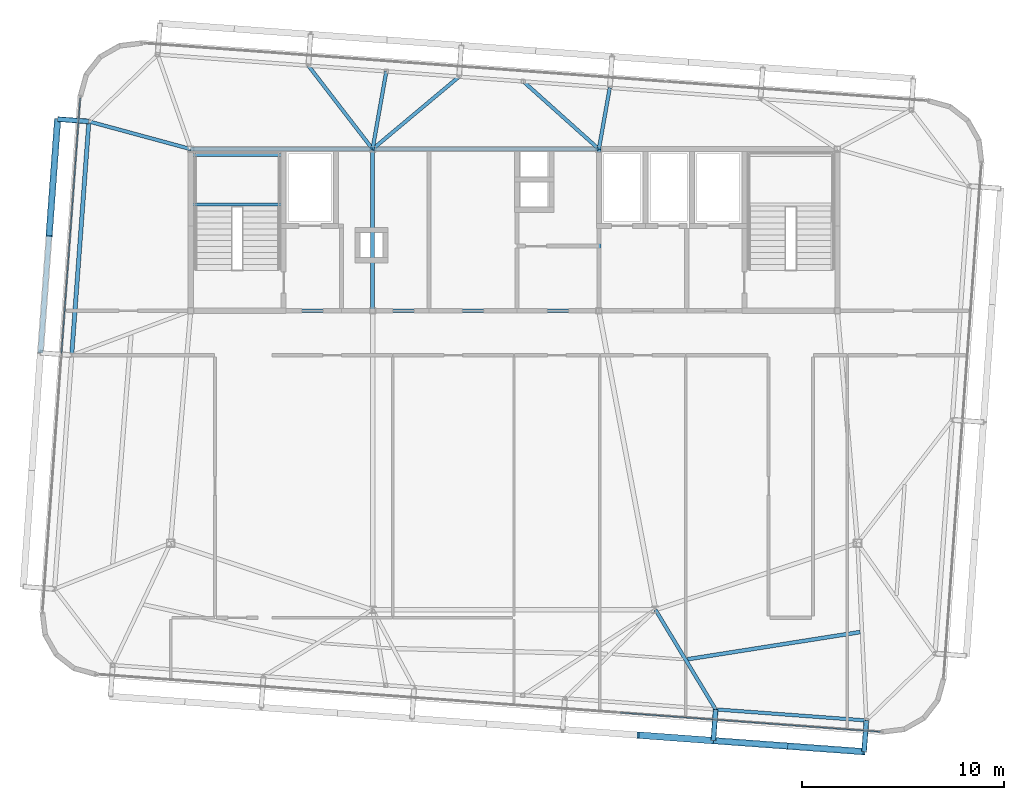
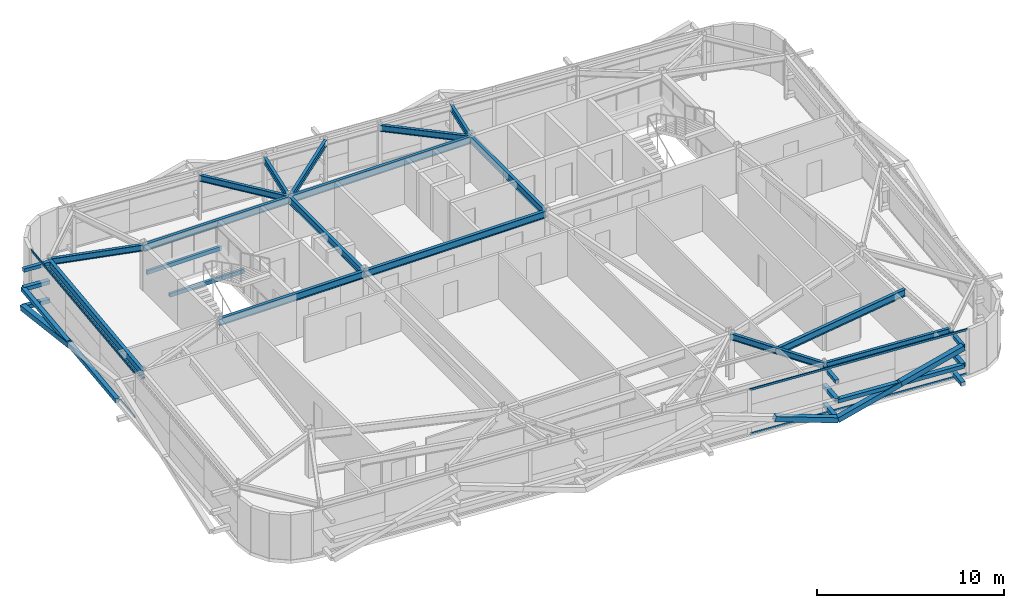
# One storey, part 14 of 34: 19 members, 18 beams, 2 elements without a shape of their own.
"""IFC4 building model written with IfcOpenShell, lengths in metres."""

from ifc_helpers import new_model, si_unit, direction, frame, origin, origin_2d, place, context, subcontext, project, spatial, hollow_rectangle, i_section, extrude, source, transform, mapped, material, layer, layer_set, material_profile, profile_set, type_object, element, aggregate, save


model = new_model("IFC4")

# Units and contexts
model_context = context("Model", 3, precision=1e-05, world=origin(), true_north=direction((0.0, 1.0)))
body_context = subcontext(model_context, "Body", "Model", "MODEL_VIEW")
ifc_project = project(units=[si_unit("LENGTHUNIT", "METRE"), si_unit("AREAUNIT", "SQUARE_METRE"), si_unit("VOLUMEUNIT", "CUBIC_METRE"), si_unit("PLANEANGLEUNIT", "RADIAN"), si_unit("MASSUNIT", "GRAM", prefix="KILO")], contexts=[model_context])

# Site, building, storey
site_placement = place(None, origin())
site = spatial("IfcSite", under=ifc_project, at=site_placement, CompositionType="ELEMENT")
building_placement = place(site_placement, origin())
building = spatial("IfcBuilding", under=site, at=building_placement, Name="Taldren Reach Tower", CompositionType="ELEMENT")
storey_placement = place(building_placement, frame((0.0, 0.0, 242.89990234375)))
storey = spatial("IfcBuildingStorey", under=building, at=storey_placement, Name="L74", CompositionType="ELEMENT", Elevation=242.89990234375)

# Beams
ifc_material_1 = material(Name="Steel Gr 350 (350PLUS)", Category="steel")
ifc_material_profile_1 = material_profile(ifc_material_1, i_section(OverallWidth=0.19091796875, OverallDepth=0.4599609375, WebThickness=0.010009765625, FlangeThickness=0.01611328125, at=origin_2d()), Name="460UB82.1")
ifc_profile_set_1 = profile_set([ifc_material_profile_1], Name="Steel Gr 350 (350PLUS)")
beam_type_1 = type_object("IfcBeamType", Name="BM-UB460A", PredefinedType="BEAM", material=ifc_profile_set_1)
shared_shape_1 = source(origin(), body_context, "Body", "SweptSolid", [
    extrude(i_section(OverallWidth=0.19091796875, OverallDepth=0.4599609375, WebThickness=0.010009765625, FlangeThickness=0.01611328125, at=origin_2d()), origin(), (0.0, 0.0, 1.0), 9.0),
])
for number, where, z_axis, x_axis, name in (
    (1, (19.0, 24.0, 2.7001953125), (1.0, 0.0, 0.0), (0.0, 1.0, 0.0), "Core-spine girder L74-SP01"),
    (2, (19.0, 32.0, 2.7001953125), (1.0, 0.0, 0.0), (0.0, 1.0, 0.0), "Core-spine girder L74-SP04"),
):
    element("IfcBeam", number, at=place(storey_placement, frame(where, z_axis=z_axis, x_axis=x_axis)), inside=storey, type_object=beam_type_1, Name=name, PredefinedType="BEAM", context=body_context, shape_type="MappedRepresentation", body=[
        mapped(shared_shape_1, transform((0.0, 0.0, 0.0), scale=1.0)),
    ])
shared_shape_2 = source(origin(), body_context, "Body", "SweptSolid", [
    extrude(i_section(OverallWidth=0.19091796875, OverallDepth=0.4599609375, WebThickness=0.010009765625, FlangeThickness=0.01611328125, at=origin_2d()), origin(), (0.0, 0.0, 1.0), 11.199951171875),
])
for number, where, z_axis, x_axis, name in (
    (3, (28.0, 24.0, 2.7001953125), (1.0, 0.0, 0.0), (0.0, 1.0, 0.0), "Core-spine girder L74-SP02"),
    (4, (28.0, 32.0, 2.7001953125), (1.0, 0.0, 0.0), (0.0, 1.0, 0.0), "Core-spine girder L74-SP05"),
):
    element("IfcBeam", number, at=place(storey_placement, frame(where, z_axis=z_axis, x_axis=x_axis)), inside=storey, type_object=beam_type_1, Name=name, PredefinedType="BEAM", context=body_context, shape_type="MappedRepresentation", body=[
        mapped(shared_shape_2, transform((0.0, 0.0, 0.0), scale=1.0)),
    ])
shared_shape_3 = source(origin(), body_context, "Body", "SweptSolid", [
    extrude(i_section(OverallWidth=0.19091796875, OverallDepth=0.4599609375, WebThickness=0.010009765625, FlangeThickness=0.01611328125, at=origin_2d()), origin(), (0.0, 0.0, 1.0), 8.0),
])
for number, where, z_axis, x_axis, name in (
    (5, (28.0, 24.0, 2.7001953125), (0.0, 1.0, 0.0), (-1.0, 0.0, 0.0), "Core-spine girder L74-SP07"),
    (6, (39.199951171875, 24.0, 2.7001953125), (0.0, 1.0, 0.0), (-1.0, 0.0, 0.0), "Core-spine girder L74-SP08"),
):
    element("IfcBeam", number, at=place(storey_placement, frame(where, z_axis=z_axis, x_axis=x_axis)), inside=storey, type_object=beam_type_1, Name=name, PredefinedType="BEAM", context=body_context, shape_type="MappedRepresentation", body=[
        mapped(shared_shape_3, transform((0.0, 0.0, 0.0), scale=1.0)),
    ])

# Members
ifc_material_2 = material(Name="Steel Gr 350 (C350L0)", Category="steel")
ifc_material_profile_2 = material_profile(ifc_material_2, hollow_rectangle(XDim=0.25, YDim=0.25, WallThickness=0.010009765625, at=origin_2d()), Name="250x250x10.0SHS")
ifc_profile_set_2 = profile_set([ifc_material_profile_2], Name="Steel Gr 350 (C350L0)")
member_type_1 = type_object("IfcMemberType", Name="MB-POST250", PredefinedType="POST", material=ifc_profile_set_2)
shared_shape_4 = source(origin(), body_context, "Body", "SweptSolid", [
    extrude(hollow_rectangle(XDim=0.25, YDim=0.25, WallThickness=0.010009765625, at=origin_2d()), origin(), (0.0, 0.0, 1.0), 1.550048828125),
])
for number, where, z_axis, x_axis, name in (
    (7, (44.980224609375, 4.26904296875, 0.22021484375), (-0.07323929162, -0.997314396849, 0.0), (0.997314396849, -0.07323929162, 0.0), "Exoskeleton base diaphragm tie strut B5-S5 L74"),
    (8, (52.440185546875, 3.72119140625, 0.22021484375), (-0.07323929162, -0.997314396849, 0.0), (0.997314396849, -0.07323929162, 0.0), "Exoskeleton base diaphragm tie strut B5-S6 L74"),
    (9, (44.980224609375, 4.26904296875, 1.43505859375), (-0.07323929162, -0.997314396849, 0.0), (0.997314396849, -0.07323929162, 0.0), "Exoskeleton mid-tier diaphragm tie B5-S5 L74"),
    (10, (52.440185546875, 3.72119140625, 1.43505859375), (-0.07323929162, -0.997314396849, 0.0), (0.997314396849, -0.07323929162, 0.0), "Exoskeleton mid-tier diaphragm tie B5-S6 L74"),
):
    element("IfcMember", number, at=place(storey_placement, frame(where, z_axis=z_axis, x_axis=x_axis)), inside=storey, type_object=member_type_1, Name=name, PredefinedType="POST", context=body_context, shape_type="MappedRepresentation", body=[
        mapped(shared_shape_4, transform((0.0, 0.0, 0.0), scale=1.0)),
    ])
ifc_material_3 = material(Name="Steel Gr 450 (C450L0)", Category="steel")
ifc_material_profile_3 = material_profile(ifc_material_3, hollow_rectangle(XDim=0.219970703125, YDim=0.219970703125, WallThickness=0.00830078125, at=origin_2d()), Name="220x220x8.2SHS")
ifc_profile_set_3 = profile_set([ifc_material_profile_3], Name="Steel Gr 450 (C450L0)")
member_type_2 = type_object("IfcMemberType", Name="MB-TIE219", PredefinedType="STRUT", material=ifc_profile_set_3)
shared_shape_5 = source(origin(), body_context, "Body", "SweptSolid", [
    extrude(hollow_rectangle(XDim=0.219970703125, YDim=0.219970703125, WallThickness=0.00830078125, at=origin_2d()), origin(), (0.0, 0.0, 1.0), 1.550048828125),
])
for number, where, z_axis, x_axis, name in (
    (11, (44.980224609375, 4.26904296875, 2.650146484375), (-0.07323929162, -0.997314396849, 0.0), (0.997314396849, -0.07323929162, 0.0), "Exoskeleton diaphragm tie strut B5-S5 L74"),
    (12, (52.440185546875, 3.72119140625, 2.650146484375), (-0.07323929162, -0.997314396849, 0.0), (0.997314396849, -0.07323929162, 0.0), "Exoskeleton diaphragm tie strut B5-S6 L74"),
):
    element("IfcMember", number, at=place(storey_placement, frame(where, z_axis=z_axis, x_axis=x_axis)), inside=storey, type_object=member_type_2, Name=name, PredefinedType="STRUT", context=body_context, shape_type="MappedRepresentation", body=[
        mapped(shared_shape_5, transform((0.0, 0.0, 0.0), scale=1.0)),
    ])

# Beams
ifc_material_profile_4 = material_profile(ifc_material_1, i_section(OverallWidth=0.172119140625, OverallDepth=0.35888671875, WebThickness=0.008056640625, FlangeThickness=0.012939453125, at=origin_2d()), Name="360UB56.7")
ifc_profile_set_4 = profile_set([ifc_material_profile_4], Name="Steel Gr 350 (350PLUS)")
beam_type_2 = type_object("IfcBeamType", Name="SP-UB360", PredefinedType="SPANDREL", material=ifc_profile_set_4)
shared_shape_6 = source(origin(), body_context, "Body", "SweptSolid", [
    extrude(i_section(OverallWidth=0.172119140625, OverallDepth=0.35888671875, WebThickness=0.008056640625, FlangeThickness=0.012939453125, at=origin_2d()), origin(), (0.0, 0.0, 1.0), 7.47998046875),
])
beam_1_placement = place(storey_placement, frame((44.980224609375, 4.26904296875, 2.75048828125), z_axis=(0.997314220642, -0.07324169103, 0.0), x_axis=(0.07324169103, 0.997314220642, 0.0)))
element("IfcBeam", 13, at=beam_1_placement, inside=storey, type_object=beam_type_2, Name="Perimeter spandrel B5 S5-S6 L74", PredefinedType="SPANDREL", context=body_context, shape_type="MappedRepresentation", body=[
    mapped(shared_shape_6, transform((0.0, 0.0, 0.0), scale=1.0)),
])
ifc_material_profile_5 = material_profile(ifc_material_1, i_section(OverallWidth=0.208984375, OverallDepth=0.528076171875, WebThickness=0.009521484375, FlangeThickness=0.01318359375, at=origin_2d()), Name="530UB82.0")
ifc_profile_set_5 = profile_set([ifc_material_profile_5], Name="Steel Gr 350 (350PLUS)")
beam_type_3 = type_object("IfcBeamType", Name="SP-UB530B", PredefinedType="SPANDREL", material=ifc_profile_set_5)
shared_shape_7 = source(origin(), body_context, "Body", "SweptSolid", [
    extrude(i_section(OverallWidth=0.208984375, OverallDepth=0.528076171875, WebThickness=0.009521484375, FlangeThickness=0.01318359375, at=origin_2d()), origin(), (0.0, 0.0, 1.0), 11.60009765625),
])
beam_2_placement = place(storey_placement, frame((13.958251953125, 33.369140625, 2.666015625), z_axis=(-0.073242167855, -0.997314185625, 0.0), x_axis=(0.997314185625, -0.073242167855, 0.0)))
element("IfcBeam", 14, at=beam_2_placement, inside=storey, type_object=beam_type_3, Name="Perimeter spandrel B5 W3-W2 L74", PredefinedType="SPANDREL", context=body_context, shape_type="MappedRepresentation", body=[
    mapped(shared_shape_7, transform((0.0, 0.0, 0.0), scale=1.0)),
])
ifc_material_profile_6 = material_profile(ifc_material_1, i_section(OverallWidth=0.177978515625, OverallDepth=0.406005859375, WebThickness=0.0078125, FlangeThickness=0.0126953125, at=origin_2d()), Name="410UB59.7")
ifc_profile_set_6 = profile_set([ifc_material_profile_6], Name="Steel Gr 350 (350PLUS)")
beam_type_4 = type_object("IfcBeamType", Name="BM-UB410", PredefinedType="BEAM", material=ifc_profile_set_6)
shared_shape_8 = source(origin(), body_context, "Body", "SweptSolid", [
    extrude(i_section(OverallWidth=0.177978515625, OverallDepth=0.406005859375, WebThickness=0.0078125, FlangeThickness=0.0126953125, at=origin_2d()), origin(), (0.0, 0.0, 1.0), 5.761474609375),
])
beam_3_placement = place(storey_placement, frame((42.0, 9.199951171875, 2.72705078125), z_axis=(0.517259852514, -0.855828396922, 0.0), x_axis=(0.855828396922, 0.517259852514, 0.0)))
element("IfcBeam", 15, at=beam_3_placement, inside=storey, type_object=beam_type_4, Name="Primary floor girder B5-S5 L74", PredefinedType="BEAM", context=body_context, shape_type="MappedRepresentation", body=[
    mapped(shared_shape_8, transform((0.0, 0.0, 0.0), scale=1.0)),
])
shared_shape_9 = source(origin(), body_context, "Body", "SweptSolid", [
    extrude(i_section(OverallWidth=0.177978515625, OverallDepth=0.406005859375, WebThickness=0.0078125, FlangeThickness=0.0126953125, at=origin_2d()), origin(), (0.0, 0.0, 1.0), 3.0830078125),
])
beam_4_placement = place(storey_placement, frame((39.199951171875, 32.0, 2.72705078125), z_axis=(0.17500945263, 0.984566753191, 0.0), x_axis=(-0.984566753191, 0.17500945263, 0.0)))
element("IfcBeam", 16, at=beam_4_placement, inside=storey, type_object=beam_type_4, Name="Primary floor girder B5-N4 L74", PredefinedType="BEAM", context=body_context, shape_type="MappedRepresentation", body=[
    mapped(shared_shape_9, transform((0.0, 0.0, 0.0), scale=1.0)),
])
shared_shape_10 = source(origin(), body_context, "Body", "SweptSolid", [
    extrude(i_section(OverallWidth=0.177978515625, OverallDepth=0.406005859375, WebThickness=0.0078125, FlangeThickness=0.0126953125, at=origin_2d()), origin(), (0.0, 0.0, 1.0), 5.02001953125),
])
beam_5_placement = place(storey_placement, frame((39.199951171875, 32.0, 2.72705078125), z_axis=(-0.744827782377, 0.667256753132, 0.0), x_axis=(-0.667256753132, -0.744827782377, 0.0)))
element("IfcBeam", 17, at=beam_5_placement, inside=storey, type_object=beam_type_4, Name="Primary floor girder B5-PJN2 L74", PredefinedType="BEAM", context=body_context, shape_type="MappedRepresentation", body=[
    mapped(shared_shape_10, transform((0.0, 0.0, 0.0), scale=1.0)),
])
shared_shape_11 = source(origin(), body_context, "Body", "SweptSolid", [
    extrude(i_section(OverallWidth=0.177978515625, OverallDepth=0.406005859375, WebThickness=0.0078125, FlangeThickness=0.0126953125, at=origin_2d()), origin(), (0.0, 0.0, 1.0), 5.58154296875),
])
beam_6_placement = place(storey_placement, frame((28.0, 32.0, 2.72705078125), z_axis=(0.766724126108, 0.641976724222, 0.0), x_axis=(-0.641976724222, 0.766724126108, 0.0)))
element("IfcBeam", 18, at=beam_6_placement, inside=storey, type_object=beam_type_4, Name="Primary floor girder B5-N3 L74", PredefinedType="BEAM", context=body_context, shape_type="MappedRepresentation", body=[
    mapped(shared_shape_11, transform((0.0, 0.0, 0.0), scale=1.0)),
])
shared_shape_12 = source(origin(), body_context, "Body", "SweptSolid", [
    extrude(i_section(OverallWidth=0.177978515625, OverallDepth=0.406005859375, WebThickness=0.0078125, FlangeThickness=0.0126953125, at=origin_2d()), origin(), (0.0, 0.0, 1.0), 3.9072265625),
])
beam_7_placement = place(storey_placement, frame((28.0, 32.0, 2.72705078125), z_axis=(0.173835238379, 0.984774750843, 0.0), x_axis=(-0.984774750843, 0.173835238379, 0.0)))
element("IfcBeam", 19, at=beam_7_placement, inside=storey, type_object=beam_type_4, Name="Primary floor girder B5-PJN1 L74", PredefinedType="BEAM", context=body_context, shape_type="MappedRepresentation", body=[
    mapped(shared_shape_12, transform((0.0, 0.0, 0.0), scale=1.0)),
])
shared_shape_13 = source(origin(), body_context, "Body", "SweptSolid", [
    extrude(i_section(OverallWidth=0.177978515625, OverallDepth=0.406005859375, WebThickness=0.0078125, FlangeThickness=0.0126953125, at=origin_2d()), origin(), (0.0, 0.0, 1.0), 5.213623046875),
])
beam_8_placement = place(storey_placement, frame((28.0, 32.0, 2.72705078125), z_axis=(-0.61002980411, 0.792378468976, 0.0), x_axis=(-0.792378468976, -0.61002980411, 0.0)))
element("IfcBeam", 20, at=beam_8_placement, inside=storey, type_object=beam_type_4, Name="Primary floor girder B5-N2 L74", PredefinedType="BEAM", context=body_context, shape_type="MappedRepresentation", body=[
    mapped(shared_shape_13, transform((0.0, 0.0, 0.0), scale=1.0)),
])
shared_shape_14 = source(origin(), body_context, "Body", "SweptSolid", [
    extrude(i_section(OverallWidth=0.177978515625, OverallDepth=0.406005859375, WebThickness=0.0078125, FlangeThickness=0.0126953125, at=origin_2d()), origin(), (0.0, 0.0, 1.0), 5.224365234375),
])
beam_9_placement = place(storey_placement, frame((19.0, 32.0, 2.72705078125), z_axis=(-0.965049032336, 0.262069390022, 0.0), x_axis=(-0.262069390022, -0.965049032336, 0.0)))
element("IfcBeam", 21, at=beam_9_placement, inside=storey, type_object=beam_type_4, Name="Primary floor girder B5-W3 L74", PredefinedType="BEAM", context=body_context, shape_type="MappedRepresentation", body=[
    mapped(shared_shape_14, transform((0.0, 0.0, 0.0), scale=1.0)),
])
shared_shape_15 = source(origin(), body_context, "Body", "SweptSolid", [
    extrude(i_section(OverallWidth=0.19091796875, OverallDepth=0.4599609375, WebThickness=0.010009765625, FlangeThickness=0.01611328125, at=origin_2d()), origin(), (0.0, 0.0, 1.0), 8.65185546875),
])
beam_10_placement = place(storey_placement, frame((43.585205078125, 6.74951171875, 2.7001953125), z_axis=(0.987803200413, 0.155707537562, 0.0), x_axis=(-0.155707537562, 0.987803200413, 0.0)))
element("IfcBeam", 22, at=beam_10_placement, inside=storey, type_object=beam_type_1, Name="Secondary floor beam B5 J5 L74", PredefinedType="BEAM", context=body_context, shape_type="MappedRepresentation", body=[
    mapped(shared_shape_15, transform((0.0, 0.0, 0.0), scale=1.0)),
])

# Members
shared_shape_16 = source(origin(), body_context, "Body", "SweptSolid", [
    extrude(hollow_rectangle(XDim=0.219970703125, YDim=0.219970703125, WallThickness=0.00830078125, at=origin_2d()), origin(), (0.0, 0.0, 1.0), 1.5458984375),
])
member_1_placement = place(storey_placement, frame((13.9541015625, 33.369384765625, 2.650146484375), z_axis=(-0.997311530447, 0.073278313559, 0.0), x_axis=(-0.073278313559, -0.997311530447, 0.0)))
element("IfcMember", 23, at=member_1_placement, inside=storey, type_object=member_type_2, Name="Exoskeleton diaphragm tie strut B5-W3 L74", PredefinedType="STRUT", context=body_context, shape_type="MappedRepresentation", body=[
    mapped(shared_shape_16, transform((0.0, 0.0, 0.0), scale=1.0)),
])
ifc_material_profile_7 = material_profile(ifc_material_3, hollow_rectangle(XDim=0.324951171875, YDim=0.324951171875, WallThickness=0.0126953125, at=origin_2d()), Name="325x325x12.7SHS")
ifc_profile_set_7 = profile_set([ifc_material_profile_7], Name="Steel Gr 450 (C450L0)")
member_type_3 = type_object("IfcMemberType", Name="MB-BR324", PredefinedType="BRACE", material=ifc_profile_set_7)
shared_shape_17 = source(origin(), body_context, "Body", "SweptSolid", [
    extrude(hollow_rectangle(XDim=0.324951171875, YDim=0.324951171875, WallThickness=0.0126953125, at=origin_2d()), origin(), (0.0, 0.0, 1.0), 3.932373046875),
])
for number, where, z_axis, x_axis, name in (
    (24, (44.86669921875, 2.72314453125, 0.22021484375), (-0.948529326954, 0.06965898055, 0.308933232813), (-0.07324169103, -0.997314220642, 0.0), "Exoskeleton Diagrid Brace B5-S4 L74"),
    (25, (44.86669921875, 2.72314453125, 0.22021484375), (0.948529326954, -0.06965898055, 0.308933232813), (0.07324169103, 0.997314220642, 0.0), "Exoskeleton Diagrid Brace B5-S5 L74"),
    (26, (48.5966796875, 2.44921875, 1.43505859375), (0.948511132845, -0.069657644394, 0.308989390507), (0.07324169103, 0.997314220642, 0.0), "Exoskeleton Diagrid Brace B5-S5 L74"),
):
    element("IfcMember", number, at=place(storey_placement, frame(where, z_axis=z_axis, x_axis=x_axis)), inside=storey, type_object=member_type_3, Name=name, PredefinedType="BRACE", context=body_context, shape_type="MappedRepresentation", body=[
        mapped(shared_shape_17, transform((0.0, 0.0, 0.0), scale=1.0)),
    ])
shared_shape_18 = source(origin(), body_context, "Body", "SweptSolid", [
    extrude(hollow_rectangle(XDim=0.25, YDim=0.25, WallThickness=0.010009765625, at=origin_2d()), origin(), (0.0, 0.0, 1.0), 7.47998046875),
])
member_2_placement = place(storey_placement, frame((44.86669921875, 2.72314453125, 1.43505859375), z_axis=(0.997314220642, -0.07324169103, 0.0), x_axis=(0.07324169103, 0.997314220642, 0.0)))
element("IfcMember", 27, at=member_2_placement, inside=storey, type_object=member_type_1, Name="Exoskeleton mid-height ring chord B5-S5 L74", PredefinedType="POST", context=body_context, shape_type="MappedRepresentation", body=[
    mapped(shared_shape_18, transform((0.0, 0.0, 0.0), scale=1.0)),
])
shared_shape_19 = source(origin(), body_context, "Body", "SweptSolid", [
    extrude(hollow_rectangle(XDim=0.324951171875, YDim=0.324951171875, WallThickness=0.0126953125, at=origin_2d()), origin(), (0.0, 0.0, 1.0), 5.92578125),
])
member_3_placement = place(storey_placement, frame((12.412353515625, 33.482666015625, 0.22021484375), z_axis=(-0.071686540919, -0.976131732187, 0.205007027365), x_axis=(0.997314185625, -0.073242167855, 0.0)))
element("IfcMember", 28, at=member_3_placement, inside=storey, type_object=member_type_3, Name="Exoskeleton Diagrid Brace B5-W2 L74", PredefinedType="BRACE", context=body_context, shape_type="MappedRepresentation", body=[
    mapped(shared_shape_19, transform((0.0, 0.0, 0.0), scale=1.0)),
])
shared_shape_20 = source(origin(), body_context, "Body", "SweptSolid", [
    extrude(hollow_rectangle(XDim=0.25, YDim=0.25, WallThickness=0.010009765625, at=origin_2d()), origin(), (0.0, 0.0, 1.0), 11.60009765625),
])
member_4_placement = place(storey_placement, frame((11.562744140625, 21.913818359375, 1.43505859375), z_axis=(0.073242167855, 0.997314185625, 0.0), x_axis=(-0.997314185625, 0.073242167855, 0.0)))
element("IfcMember", 29, at=member_4_placement, inside=storey, type_object=member_type_1, Name="Exoskeleton mid-height ring chord B5-W2 L74", PredefinedType="POST", context=body_context, shape_type="MappedRepresentation", body=[
    mapped(shared_shape_20, transform((0.0, 0.0, 0.0), scale=1.0)),
])
shared_shape_21 = source(origin(), body_context, "Body", "SweptSolid", [
    extrude(hollow_rectangle(XDim=0.25, YDim=0.25, WallThickness=0.010009765625, at=origin_2d()), origin(), (0.0, 0.0, 1.0), 1.5458984375),
])
for number, where, z_axis, x_axis, name in (
    (30, (13.9541015625, 33.369384765625, 0.22021484375), (-0.997311530447, 0.073278313559, 0.0), (-0.073278313559, -0.997311530447, 0.0), "Exoskeleton base diaphragm tie strut B5-W3 L74"),
    (31, (13.9541015625, 33.369384765625, 1.43505859375), (-0.997311530447, 0.073278313559, 0.0), (-0.073278313559, -0.997311530447, 0.0), "Exoskeleton mid-tier diaphragm tie B5-W3 L74"),
):
    element("IfcMember", number, at=place(storey_placement, frame(where, z_axis=z_axis, x_axis=x_axis)), inside=storey, type_object=member_type_1, Name=name, PredefinedType="POST", context=body_context, shape_type="MappedRepresentation", body=[
        mapped(shared_shape_21, transform((0.0, 0.0, 0.0), scale=1.0)),
    ])

# Curtain wall, members
ifc_material_4 = material(Name="Aluminium and Low-E Glass Unitised System", Category="aluminium")
ifc_layer = layer(ifc_material_4, 0.159912109375)
ifc_layer_set = layer_set([ifc_layer], Name="Aluminium and Low-E Glass Unitised System")
curtain_wall_type = type_object("IfcCurtainWallType", Name="CW-SYS-6", PredefinedType="NOTDEFINED", material=ifc_layer_set)
curtain_wall_1_placement = place(storey_placement, origin())
curtain_wall_1 = element("IfcCurtainWall", 32, at=curtain_wall_1_placement, inside=storey, type_object=curtain_wall_type, Name="Unitised curtain wall CW-L74-S", PredefinedType="NOTDEFINED")
ifc_material_5 = material(Name="Anodised Aluminium 6063-T6", Category="aluminium")
ifc_material_profile_8 = material_profile(ifc_material_5, hollow_rectangle(XDim=0.06005859375, YDim=0.135009765625, WallThickness=0.00341796875, at=origin_2d()), Name="ALU-135x60x3.5RHS")
ifc_profile_set_8 = profile_set([ifc_material_profile_8], Name="Anodised Aluminium 6063-T6")
member_type_4 = type_object("IfcMemberType", Name="CW-TRN-150", PredefinedType="USERDEFINED", material=ifc_profile_set_8)
shared_shape_22 = source(origin(), body_context, "Body", "SweptSolid", [
    extrude(hollow_rectangle(XDim=0.06005859375, YDim=0.135009765625, WallThickness=0.00341796875, at=origin_2d()), origin(), (0.0, 0.0, 1.0), 12.8876953125),
])
member_5_placement = place(storey_placement, frame((40.27294921875, 4.103271484375, 0.030029296875), z_axis=(0.997314588711, -0.073236678949, 0.0), x_axis=(0.073236678949, 0.997314588711, 0.0)))
member_5 = element("IfcMember", 33, at=member_5_placement, type_object=member_type_4, Name="CW-6 transom 3.1", ObjectType="TRANSOM", PredefinedType="USERDEFINED", context=body_context, shape_type="MappedRepresentation", body=[
    mapped(shared_shape_22, transform((0.0, 0.0, 0.0), scale=1.0)),
])
member_6_placement = place(storey_placement, frame((40.27294921875, 4.103271484375, 2.900146484375), z_axis=(0.997314588711, -0.073236678949, 0.0), x_axis=(0.073236678949, 0.997314588711, 0.0)))
member_6 = element("IfcMember", 34, at=member_6_placement, type_object=member_type_4, Name="CW-6 transom 3.2", ObjectType="TRANSOM", PredefinedType="USERDEFINED", context=body_context, shape_type="MappedRepresentation", body=[
    mapped(shared_shape_22, transform((0.0, 0.0, 0.0), scale=1.0)),
])
aggregate(curtain_wall_1, [member_5, member_6])

curtain_wall_2_placement = place(storey_placement, origin())
curtain_wall_2 = element("IfcCurtainWall", 35, at=curtain_wall_2_placement, inside=storey, type_object=curtain_wall_type, Name="Unitised curtain wall CW-L74-W", PredefinedType="NOTDEFINED")
shared_shape_23 = source(origin(), body_context, "Body", "SweptSolid", [
    extrude(hollow_rectangle(XDim=0.06005859375, YDim=0.135009765625, WallThickness=0.00341796875, at=origin_2d()), origin(), (0.0, 0.0, 1.0), 12.6875),
])
member_7_placement = place(storey_placement, frame((13.531982421875, 34.5283203125, 0.030029296875), z_axis=(-0.073237997916, -0.997314491854, 0.0), x_axis=(0.997314491854, -0.073237997916, 0.0)))
member_7 = element("IfcMember", 36, at=member_7_placement, type_object=member_type_4, Name="CW-6 transom 1.1", ObjectType="TRANSOM", PredefinedType="USERDEFINED", context=body_context, shape_type="MappedRepresentation", body=[
    mapped(shared_shape_23, transform((0.0, 0.0, 0.0), scale=1.0)),
])
member_8_placement = place(storey_placement, frame((13.531982421875, 34.5283203125, 2.900146484375), z_axis=(-0.073237997916, -0.997314491854, 0.0), x_axis=(0.997314491854, -0.073237997916, 0.0)))
member_8 = element("IfcMember", 37, at=member_8_placement, type_object=member_type_4, Name="CW-6 transom 1.2", ObjectType="TRANSOM", PredefinedType="USERDEFINED", context=body_context, shape_type="MappedRepresentation", body=[
    mapped(shared_shape_23, transform((0.0, 0.0, 0.0), scale=1.0)),
])
aggregate(curtain_wall_2, [member_7, member_8])

# Beams
ifc_material_profile_9 = material_profile(ifc_material_2, hollow_rectangle(XDim=0.14990234375, YDim=0.25, WallThickness=0.009033203125, at=origin_2d()), Name="250x150x9.0RHS")
ifc_profile_set_9 = profile_set([ifc_material_profile_9], Name="Steel Gr 350 (C350L0)")
beam_type_5 = type_object("IfcBeamType", Name="LN-RHS250", PredefinedType="LINTEL", material=ifc_profile_set_9)
shared_shape_24 = source(origin(), body_context, "Body", "SweptSolid", [
    extrude(hollow_rectangle(XDim=0.14990234375, YDim=0.25, WallThickness=0.009033203125, at=origin_2d()), origin(), (0.0, 0.0, 1.0), 4.60009765625),
])
for number, where, z_axis, x_axis, name in (
    (38, (19.0, 29.2548828125, 1.27001953125), (1.0, 0.0, 0.0), (0.0, 1.0, 0.0), "Stair half-landing support beam ST1-L74-1"),
    (39, (19.0, 31.699951171875, 1.27001953125), (1.0, 0.0, 0.0), (0.0, 1.0, 0.0), "Stair half-landing support beam ST1-L74-2"),
):
    element("IfcBeam", number, at=place(storey_placement, frame(where, z_axis=z_axis, x_axis=x_axis)), inside=storey, type_object=beam_type_5, Name=name, PredefinedType="LINTEL", context=body_context, shape_type="MappedRepresentation", body=[
        mapped(shared_shape_24, transform((0.0, 0.0, 0.0), scale=1.0)),
    ])

save(model, "model.ifc")
